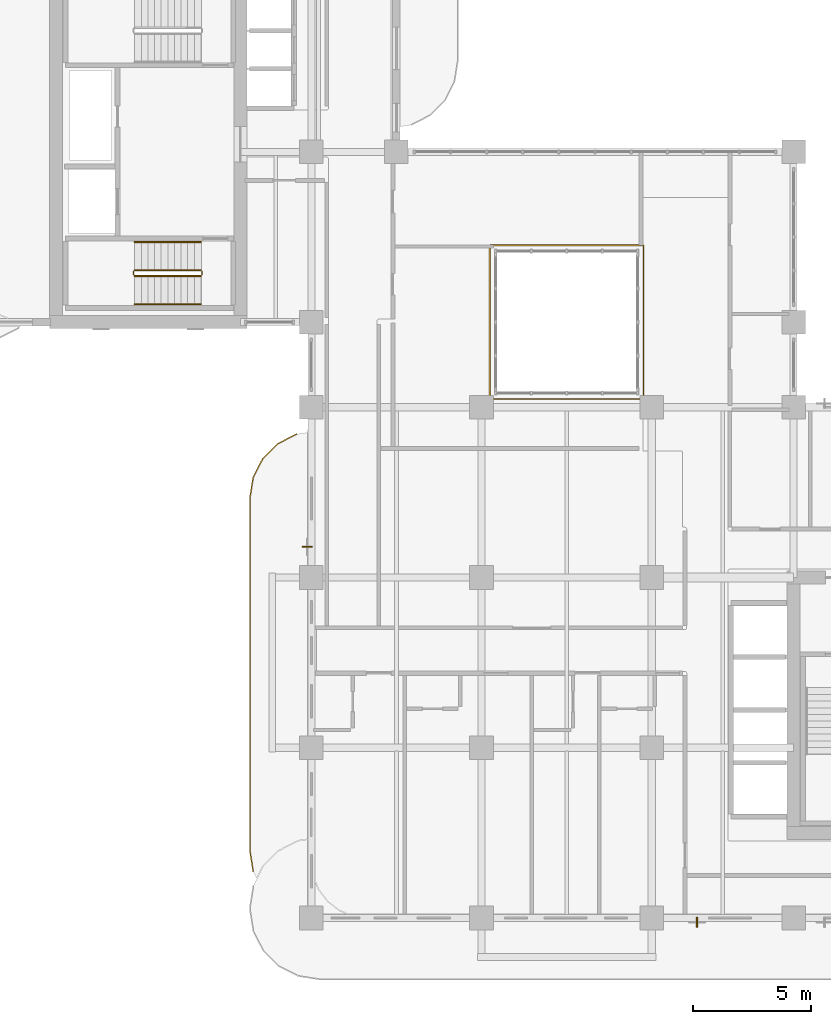
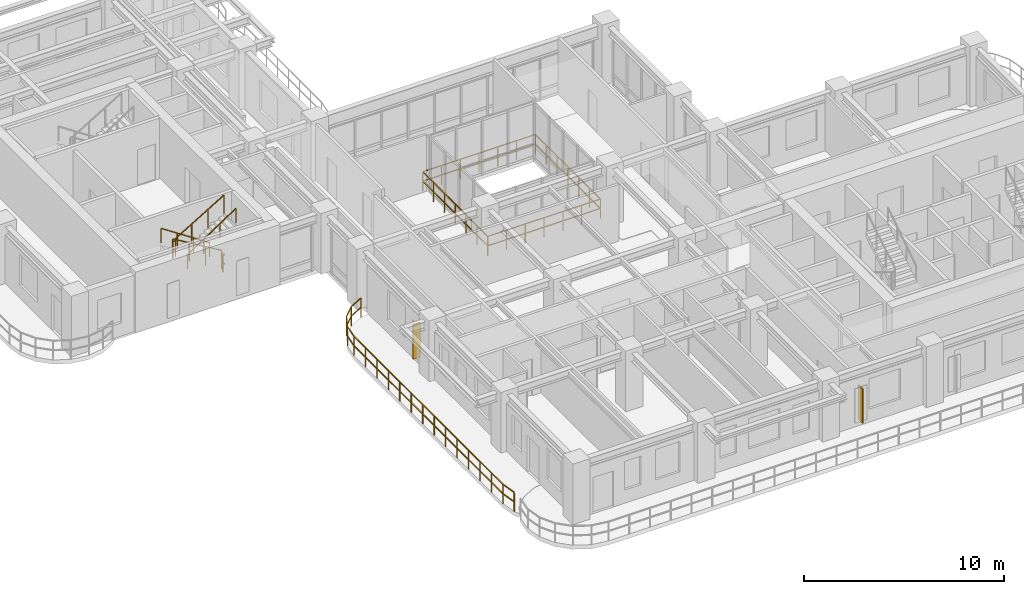
# One storey, part 16 of 20: 8 railings, 2 shading devices.
"""IFC4 building model written with IfcOpenShell, lengths in metres."""

from ifc_helpers import new_model, si_unit, derived_unit, direction, frame, origin, origin_2d, place, context, subcontext, project, spatial, rectangle, extrude, source, transform, mapped, material, layer, layer_set, type_object, type_shapes, element, save


model = new_model("IFC4")

# Units and contexts
model_context = context("Model", 3, precision=1e-05, world=origin(), true_north=direction((0.0, 1.0)))
body_context = subcontext(model_context, "Body", "Model", "MODEL_VIEW")
ifc_project = project(units=[si_unit("LENGTHUNIT", "METRE"), si_unit("AREAUNIT", "SQUARE_METRE"), si_unit("VOLUMEUNIT", "CUBIC_METRE"), si_unit("PLANEANGLEUNIT", "RADIAN"), si_unit("MASSUNIT", "GRAM", prefix="KILO"), si_unit("THERMODYNAMICTEMPERATUREUNIT", "KELVIN"), si_unit("POWERUNIT", "WATT"), derived_unit("THERMALTRANSMITTANCEUNIT", [(si_unit("POWERUNIT", "WATT"), 1), (si_unit("AREAUNIT", "SQUARE_METRE"), -1), (si_unit("THERMODYNAMICTEMPERATUREUNIT", "KELVIN"), -1)])], contexts=[model_context])

# Site, building, storey
site_placement = place(None, origin())
site = spatial("IfcSite", under=ifc_project, at=site_placement, CompositionType="ELEMENT")
building_placement = place(site_placement, origin())
building = spatial("IfcBuilding", under=site, at=building_placement, Name="Zahravan Archway Hotel and Residences", CompositionType="ELEMENT")
storey_placement = place(building_placement, frame((0.0, 0.0, 122.89990234375)))
storey = spatial("IfcBuildingStorey", under=building, at=storey_placement, Name="L30", CompositionType="ELEMENT", Elevation=122.89990234375)

# Railings
ifc_material_1 = material(Name="Atrium Laminated Glass Guardrail", Category="glass")
railing_type_1 = type_object("IfcRailingType", Name="RL-ATR-1200", PredefinedType="BALUSTRADE", material=ifc_material_1)
railing_1_placement = place(storey_placement, frame((21.949951171875, 21.949951171875, 0.0)))
element("IfcRailing", 1, at=railing_1_placement, inside=storey, type_object=railing_type_1, Name="L30 Balustrade RL-ATR-L30", PredefinedType="BALUSTRADE", context=body_context, shape_type="SweptSolid", body=[
    extrude(rectangle(XDim=0.048095703125, YDim=0.048095703125, at=origin_2d()), frame((0.0, 0.0, 1.17578125), z_axis=(1.0, 0.0, 0.0), x_axis=(0.0, 1.0, 0.0)), (0.0, 0.0, 1.0), 6.5),
    extrude(rectangle(XDim=0.048095703125, YDim=0.048095703125, at=origin_2d()), frame((0.0, 0.0, 0.60009765625), z_axis=(1.0, 0.0, 0.0), x_axis=(0.0, 1.0, 0.0)), (0.0, 0.0, 1.0), 6.5),
    extrude(rectangle(XDim=0.048095703125, YDim=0.048095703125, at=origin_2d()), frame((6.5, 0.0, 1.17578125), z_axis=(0.0, 1.0, 0.0), x_axis=(-1.0, 0.0, 0.0)), (0.0, 0.0, 1.0), 6.5),
    extrude(rectangle(XDim=0.048095703125, YDim=0.048095703125, at=origin_2d()), frame((6.5, 0.0, 0.60009765625), z_axis=(0.0, 1.0, 0.0), x_axis=(-1.0, 0.0, 0.0)), (0.0, 0.0, 1.0), 6.5),
    extrude(rectangle(XDim=0.048095703125, YDim=0.048095703125, at=origin_2d()), frame((6.5, 6.5, 1.17578125), z_axis=(-1.0, 0.0, 0.0), x_axis=(0.0, -1.0, 0.0)), (0.0, 0.0, 1.0), 6.5),
    extrude(rectangle(XDim=0.048095703125, YDim=0.048095703125, at=origin_2d()), frame((6.5, 6.5, 0.60009765625), z_axis=(-1.0, 0.0, 0.0), x_axis=(0.0, -1.0, 0.0)), (0.0, 0.0, 1.0), 6.5),
    extrude(rectangle(XDim=0.048095703125, YDim=0.048095703125, at=origin_2d()), frame((0.0, 6.5, 1.17578125), z_axis=(0.0, -1.0, 0.0), x_axis=(1.0, 0.0, 0.0)), (0.0, 0.0, 1.0), 6.5),
    extrude(rectangle(XDim=0.048095703125, YDim=0.048095703125, at=origin_2d()), frame((0.0, 6.5, 0.60009765625), z_axis=(0.0, -1.0, 0.0), x_axis=(1.0, 0.0, 0.0)), (0.0, 0.0, 1.0), 6.5),
    extrude(rectangle(XDim=0.0419921875, YDim=0.0419921875, at=origin_2d()), origin(), (0.0, 0.0, 1.0), 1.15185546875),
    extrude(rectangle(XDim=0.0419921875, YDim=0.0419921875, at=origin_2d()), frame((1.083251953125, 0.0, 0.0)), (0.0, 0.0, 1.0), 1.15185546875),
    extrude(rectangle(XDim=0.0419921875, YDim=0.0419921875, at=origin_2d()), frame((2.166748046875, 0.0, 0.0)), (0.0, 0.0, 1.0), 1.15185546875),
    extrude(rectangle(XDim=0.0419921875, YDim=0.0419921875, at=origin_2d()), frame((3.25, 0.0, 0.0)), (0.0, 0.0, 1.0), 1.15185546875),
    extrude(rectangle(XDim=0.0419921875, YDim=0.0419921875, at=origin_2d()), frame((4.333251953125, 0.0, 0.0)), (0.0, 0.0, 1.0), 1.15185546875),
    extrude(rectangle(XDim=0.0419921875, YDim=0.0419921875, at=origin_2d()), frame((5.416748046875, 0.0, 0.0)), (0.0, 0.0, 1.0), 1.15185546875),
    extrude(rectangle(XDim=0.0419921875, YDim=0.0419921875, at=origin_2d()), frame((6.5, 0.0, 0.0)), (0.0, 0.0, 1.0), 1.15185546875),
    extrude(rectangle(XDim=0.0419921875, YDim=0.0419921875, at=origin_2d()), frame((6.5, 1.083251953125, 0.0)), (0.0, 0.0, 1.0), 1.15185546875),
    extrude(rectangle(XDim=0.0419921875, YDim=0.0419921875, at=origin_2d()), frame((6.5, 2.166748046875, 0.0)), (0.0, 0.0, 1.0), 1.15185546875),
    extrude(rectangle(XDim=0.0419921875, YDim=0.0419921875, at=origin_2d()), frame((6.5, 3.25, 0.0)), (0.0, 0.0, 1.0), 1.15185546875),
    extrude(rectangle(XDim=0.0419921875, YDim=0.0419921875, at=origin_2d()), frame((6.5, 4.333251953125, 0.0)), (0.0, 0.0, 1.0), 1.15185546875),
    extrude(rectangle(XDim=0.0419921875, YDim=0.0419921875, at=origin_2d()), frame((6.5, 5.416748046875, 0.0)), (0.0, 0.0, 1.0), 1.15185546875),
    extrude(rectangle(XDim=0.0419921875, YDim=0.0419921875, at=origin_2d()), frame((6.5, 6.5, 0.0)), (0.0, 0.0, 1.0), 1.15185546875),
    extrude(rectangle(XDim=0.0419921875, YDim=0.0419921875, at=origin_2d()), frame((5.416748046875, 6.5, 0.0)), (0.0, 0.0, 1.0), 1.15185546875),
    extrude(rectangle(XDim=0.0419921875, YDim=0.0419921875, at=origin_2d()), frame((4.333251953125, 6.5, 0.0)), (0.0, 0.0, 1.0), 1.15185546875),
    extrude(rectangle(XDim=0.0419921875, YDim=0.0419921875, at=origin_2d()), frame((3.25, 6.5, 0.0)), (0.0, 0.0, 1.0), 1.15185546875),
    extrude(rectangle(XDim=0.0419921875, YDim=0.0419921875, at=origin_2d()), frame((2.166748046875, 6.5, 0.0)), (0.0, 0.0, 1.0), 1.15185546875),
    extrude(rectangle(XDim=0.0419921875, YDim=0.0419921875, at=origin_2d()), frame((1.083251953125, 6.5, 0.0)), (0.0, 0.0, 1.0), 1.15185546875),
    extrude(rectangle(XDim=0.0419921875, YDim=0.0419921875, at=origin_2d()), frame((0.0, 6.5, 0.0)), (0.0, 0.0, 1.0), 1.15185546875),
    extrude(rectangle(XDim=0.0419921875, YDim=0.0419921875, at=origin_2d()), frame((0.0, 5.416748046875, 0.0)), (0.0, 0.0, 1.0), 1.15185546875),
    extrude(rectangle(XDim=0.0419921875, YDim=0.0419921875, at=origin_2d()), frame((0.0, 4.333251953125, 0.0)), (0.0, 0.0, 1.0), 1.15185546875),
    extrude(rectangle(XDim=0.0419921875, YDim=0.0419921875, at=origin_2d()), frame((0.0, 3.25, 0.0)), (0.0, 0.0, 1.0), 1.15185546875),
    extrude(rectangle(XDim=0.0419921875, YDim=0.0419921875, at=origin_2d()), frame((0.0, 2.166748046875, 0.0)), (0.0, 0.0, 1.0), 1.15185546875),
    extrude(rectangle(XDim=0.0419921875, YDim=0.0419921875, at=origin_2d()), frame((0.0, 1.083251953125, 0.0)), (0.0, 0.0, 1.0), 1.15185546875),
])
ifc_material_2 = material(Name="Bronze & Laminated Glass Balustrade", Category="glass")
railing_type_2 = type_object("IfcRailingType", Name="RL-BAL-1200", PredefinedType="BALUSTRADE", material=ifc_material_2)
railing_2_placement = place(storey_placement, frame((11.939453125, 1.96923828125, 0.0)))
element("IfcRailing", 2, at=railing_2_placement, inside=storey, type_object=railing_type_2, Name="L30 Balustrade RL-SLB-BAL-L30-WA-1", PredefinedType="BALUSTRADE", context=body_context, shape_type="SweptSolid", body=[
    extrude(rectangle(XDim=0.048095703125, YDim=0.048095703125, at=origin_2d()), frame((0.0, 0.0, 1.17578125), z_axis=(-0.156314005608, 0.987707411965, 0.0), x_axis=(-0.987707411965, -0.156314005608, 0.0)), (0.0, 0.0, 1.0), 0.891845703125),
    extrude(rectangle(XDim=0.048095703125, YDim=0.048095703125, at=origin_2d()), frame((0.0, 0.0, 0.60009765625), z_axis=(-0.156314005608, 0.987707411965, 0.0), x_axis=(-0.987707411965, -0.156314005608, 0.0)), (0.0, 0.0, 1.0), 0.891845703125),
    extrude(rectangle(XDim=0.048095703125, YDim=0.048095703125, at=origin_2d()), frame((-0.139404296875, 0.880859375, 1.17578125), z_axis=(0.0, 1.0, 0.0), x_axis=(-1.0, 0.0, 0.0)), (0.0, 0.0, 1.0), 14.89990234375),
    extrude(rectangle(XDim=0.048095703125, YDim=0.048095703125, at=origin_2d()), frame((-0.139404296875, 0.880859375, 0.60009765625), z_axis=(0.0, 1.0, 0.0), x_axis=(-1.0, 0.0, 0.0)), (0.0, 0.0, 1.0), 14.89990234375),
    extrude(rectangle(XDim=0.048095703125, YDim=0.048095703125, at=origin_2d()), frame((-0.139404296875, 15.78076171875, 1.17578125), z_axis=(0.156356282588, 0.987700720307, 0.0), x_axis=(-0.987700720307, 0.156356282588, 0.0)), (0.0, 0.0, 1.0), 0.8916015625),
    extrude(rectangle(XDim=0.048095703125, YDim=0.048095703125, at=origin_2d()), frame((-0.139404296875, 15.78076171875, 0.60009765625), z_axis=(0.156356282588, 0.987700720307, 0.0), x_axis=(-0.987700720307, 0.156356282588, 0.0)), (0.0, 0.0, 1.0), 0.8916015625),
    extrude(rectangle(XDim=0.048095703125, YDim=0.048095703125, at=origin_2d()), frame((0.0, 16.661376953125, 1.17578125), z_axis=(0.45388067135, 0.891062476022, 0.0), x_axis=(-0.891062476022, 0.45388067135, 0.0)), (0.0, 0.0, 1.0), 0.891845703125),
    extrude(rectangle(XDim=0.048095703125, YDim=0.048095703125, at=origin_2d()), frame((0.0, 16.661376953125, 0.60009765625), z_axis=(0.45388067135, 0.891062476022, 0.0), x_axis=(-0.891062476022, 0.45388067135, 0.0)), (0.0, 0.0, 1.0), 0.891845703125),
    extrude(rectangle(XDim=0.048095703125, YDim=0.048095703125, at=origin_2d()), frame((0.40478515625, 17.4560546875, 1.17578125), z_axis=(0.70724367147, 0.706969864397, 0.0), x_axis=(-0.706969864397, 0.70724367147, 0.0)), (0.0, 0.0, 1.0), 0.8916015625),
    extrude(rectangle(XDim=0.048095703125, YDim=0.048095703125, at=origin_2d()), frame((0.40478515625, 17.4560546875, 0.60009765625), z_axis=(0.70724367147, 0.706969864397, 0.0), x_axis=(-0.706969864397, 0.70724367147, 0.0)), (0.0, 0.0, 1.0), 0.8916015625),
    extrude(rectangle(XDim=0.048095703125, YDim=0.048095703125, at=origin_2d()), frame((1.035400390625, 18.08642578125, 1.17578125), z_axis=(0.891006060389, 0.453991409995, 0.0), x_axis=(-0.453991409995, 0.891006060389, 0.0)), (0.0, 0.0, 1.0), 0.8916015625),
    extrude(rectangle(XDim=0.048095703125, YDim=0.048095703125, at=origin_2d()), frame((1.035400390625, 18.08642578125, 0.60009765625), z_axis=(0.891006060389, 0.453991409995, 0.0), x_axis=(-0.453991409995, 0.891006060389, 0.0)), (0.0, 0.0, 1.0), 0.8916015625),
    extrude(rectangle(XDim=0.0419921875, YDim=0.0419921875, at=origin_2d()), origin(), (0.0, 0.0, 1.0), 1.15185546875),
    extrude(rectangle(XDim=0.0419921875, YDim=0.0419921875, at=origin_2d()), frame((-0.139404296875, 0.880859375, 0.0)), (0.0, 0.0, 1.0), 1.15185546875),
    extrude(rectangle(XDim=0.0419921875, YDim=0.0419921875, at=origin_2d()), frame((-0.139404296875, 2.027099609375, 0.0)), (0.0, 0.0, 1.0), 1.15185546875),
    extrude(rectangle(XDim=0.0419921875, YDim=0.0419921875, at=origin_2d()), frame((-0.139404296875, 3.173095703125, 0.0)), (0.0, 0.0, 1.0), 1.15185546875),
    extrude(rectangle(XDim=0.0419921875, YDim=0.0419921875, at=origin_2d()), frame((-0.139404296875, 4.3193359375, 0.0)), (0.0, 0.0, 1.0), 1.15185546875),
    extrude(rectangle(XDim=0.0419921875, YDim=0.0419921875, at=origin_2d()), frame((-0.139404296875, 5.46533203125, 0.0)), (0.0, 0.0, 1.0), 1.15185546875),
    extrude(rectangle(XDim=0.0419921875, YDim=0.0419921875, at=origin_2d()), frame((-0.139404296875, 6.611572265625, 0.0)), (0.0, 0.0, 1.0), 1.15185546875),
    extrude(rectangle(XDim=0.0419921875, YDim=0.0419921875, at=origin_2d()), frame((-0.139404296875, 7.7578125, 0.0)), (0.0, 0.0, 1.0), 1.15185546875),
    extrude(rectangle(XDim=0.0419921875, YDim=0.0419921875, at=origin_2d()), frame((-0.139404296875, 8.90380859375, 0.0)), (0.0, 0.0, 1.0), 1.15185546875),
    extrude(rectangle(XDim=0.0419921875, YDim=0.0419921875, at=origin_2d()), frame((-0.139404296875, 10.050048828125, 0.0)), (0.0, 0.0, 1.0), 1.15185546875),
    extrude(rectangle(XDim=0.0419921875, YDim=0.0419921875, at=origin_2d()), frame((-0.139404296875, 11.1962890625, 0.0)), (0.0, 0.0, 1.0), 1.15185546875),
    extrude(rectangle(XDim=0.0419921875, YDim=0.0419921875, at=origin_2d()), frame((-0.139404296875, 12.34228515625, 0.0)), (0.0, 0.0, 1.0), 1.15185546875),
    extrude(rectangle(XDim=0.0419921875, YDim=0.0419921875, at=origin_2d()), frame((-0.139404296875, 13.488525390625, 0.0)), (0.0, 0.0, 1.0), 1.15185546875),
    extrude(rectangle(XDim=0.0419921875, YDim=0.0419921875, at=origin_2d()), frame((-0.139404296875, 14.634521484375, 0.0)), (0.0, 0.0, 1.0), 1.15185546875),
    extrude(rectangle(XDim=0.0419921875, YDim=0.0419921875, at=origin_2d()), frame((-0.139404296875, 15.78076171875, 0.0)), (0.0, 0.0, 1.0), 1.15185546875),
    extrude(rectangle(XDim=0.0419921875, YDim=0.0419921875, at=origin_2d()), frame((0.0, 16.661376953125, 0.0)), (0.0, 0.0, 1.0), 1.15185546875),
    extrude(rectangle(XDim=0.0419921875, YDim=0.0419921875, at=origin_2d()), frame((0.40478515625, 17.4560546875, 0.0)), (0.0, 0.0, 1.0), 1.15185546875),
    extrude(rectangle(XDim=0.0419921875, YDim=0.0419921875, at=origin_2d()), frame((1.035400390625, 18.08642578125, 0.0)), (0.0, 0.0, 1.0), 1.15185546875),
    extrude(rectangle(XDim=0.0419921875, YDim=0.0419921875, at=origin_2d()), frame((1.829833984375, 18.4912109375, 0.0)), (0.0, 0.0, 1.0), 1.15185546875),
])
ifc_material_3 = material(Name="Painted Tubular Steel", Category="steel")
railing_type_3 = type_object("IfcRailingType", Name="RL-STG-1150", PredefinedType="GUARDRAIL", material=ifc_material_3)
railing_3_placement = place(storey_placement, frame((9.72998046875, 27.389892578125, 0.168212890625)))
element("IfcRailing", 3, at=railing_3_placement, inside=storey, type_object=railing_type_3, Name="L30 ST-B1 stair guard 1", PredefinedType="GUARDRAIL", context=body_context, shape_type="SweptSolid", body=[
    extrude(rectangle(XDim=0.048095703125, YDim=0.048095703125, at=origin_2d()), frame((0.0, 0.0, 1.1259765625), z_axis=(-0.857242210791, 0.0, 0.514913383045), x_axis=(0.0, -1.0, 0.0)), (0.0, 0.0, 1.0), 3.266357421875),
    extrude(rectangle(XDim=0.0419921875, YDim=0.0419921875, at=origin_2d()), origin(), (0.0, 0.0, 1.0), 1.101806640625),
    extrude(rectangle(XDim=0.0419921875, YDim=0.0419921875, at=origin_2d()), frame((-0.933349609375, 0.0, 0.560546875)), (0.0, 0.0, 1.0), 1.101806640625),
    extrude(rectangle(XDim=0.0419921875, YDim=0.0419921875, at=origin_2d()), frame((-1.86669921875, 0.0, 1.121337890625)), (0.0, 0.0, 1.0), 1.101806640625),
    extrude(rectangle(XDim=0.0419921875, YDim=0.0419921875, at=origin_2d()), frame((-2.800048828125, 0.0, 1.681884765625)), (0.0, 0.0, 1.0), 1.101806640625),
])
railing_4_placement = place(storey_placement, frame((6.8798828125, 27.340087890625, 1.85009765625)))
element("IfcRailing", 4, at=railing_4_placement, inside=storey, type_object=railing_type_3, Name="L30 ST-B1 stair guard 2", PredefinedType="GUARDRAIL", context=body_context, shape_type="SweptSolid", body=[
    extrude(rectangle(XDim=0.048095703125, YDim=0.048095703125, at=origin_2d()), frame((0.0, 0.0, 1.1259765625), z_axis=(0.0, -1.0, 0.0), x_axis=(1.0, 0.0, 0.0)), (0.0, 0.0, 1.0), 0.14013671875),
    extrude(rectangle(XDim=0.048095703125, YDim=0.048095703125, at=origin_2d()), frame((0.0, 0.0, 0.574951171875), z_axis=(0.0, -1.0, 0.0), x_axis=(1.0, 0.0, 0.0)), (0.0, 0.0, 1.0), 0.14013671875),
    extrude(rectangle(XDim=0.0419921875, YDim=0.0419921875, at=origin_2d()), origin(), (0.0, 0.0, 1.0), 1.101806640625),
])
railing_5_placement = place(storey_placement, frame((6.929931640625, 27.14990234375, 2.018310546875)))
element("IfcRailing", 5, at=railing_5_placement, inside=storey, type_object=railing_type_3, Name="L30 ST-B1 stair guard 3", PredefinedType="GUARDRAIL", context=body_context, shape_type="SweptSolid", body=[
    extrude(rectangle(XDim=0.048095703125, YDim=0.048095703125, at=origin_2d()), frame((0.0, 0.0, 1.1259765625), z_axis=(0.857242210791, 0.0, 0.514913383045), x_axis=(0.0, 1.0, 0.0)), (0.0, 0.0, 1.0), 3.266357421875),
    extrude(rectangle(XDim=0.0419921875, YDim=0.0419921875, at=origin_2d()), origin(), (0.0, 0.0, 1.0), 1.101806640625),
    extrude(rectangle(XDim=0.0419921875, YDim=0.0419921875, at=origin_2d()), frame((0.933349609375, 0.0, 0.560546875)), (0.0, 0.0, 1.0), 1.101806640625),
    extrude(rectangle(XDim=0.0419921875, YDim=0.0419921875, at=origin_2d()), frame((1.86669921875, 0.0, 1.121337890625)), (0.0, 0.0, 1.0), 1.101806640625),
    extrude(rectangle(XDim=0.0419921875, YDim=0.0419921875, at=origin_2d()), frame((2.800048828125, 0.0, 1.681884765625)), (0.0, 0.0, 1.0), 1.101806640625),
])
railing_6_placement = place(storey_placement, frame((9.780029296875, 27.340087890625, 0.0)))
element("IfcRailing", 6, at=railing_6_placement, inside=storey, type_object=railing_type_3, Name="L30 ST-B1 stair guard 4", PredefinedType="GUARDRAIL", context=body_context, shape_type="SweptSolid", body=[
    extrude(rectangle(XDim=0.048095703125, YDim=0.048095703125, at=origin_2d()), frame((0.0, 0.0, 1.1259765625), z_axis=(0.0, -1.0, 0.0), x_axis=(1.0, 0.0, 0.0)), (0.0, 0.0, 1.0), 0.14013671875),
    extrude(rectangle(XDim=0.048095703125, YDim=0.048095703125, at=origin_2d()), frame((0.0, 0.0, 0.574951171875), z_axis=(0.0, -1.0, 0.0), x_axis=(1.0, 0.0, 0.0)), (0.0, 0.0, 1.0), 0.14013671875),
    extrude(rectangle(XDim=0.0419921875, YDim=0.0419921875, at=origin_2d()), origin(), (0.0, 0.0, 1.0), 1.101806640625),
])
ifc_material_4 = material(Name="Brushed Stainless Steel", Category="steel")
railing_type_4 = type_object("IfcRailingType", Name="RL-STH-900", PredefinedType="HANDRAIL", material=ifc_material_4)
railing_7_placement = place(storey_placement, frame((9.72998046875, 28.590087890625, 0.168212890625)))
element("IfcRailing", 7, at=railing_7_placement, inside=storey, type_object=railing_type_4, Name="L30 ST-B1 stair handrail 1", PredefinedType="HANDRAIL", context=body_context, shape_type="SweptSolid", body=[
    extrude(rectangle(XDim=0.048095703125, YDim=0.048095703125, at=origin_2d()), frame((0.0, 0.0, 0.8759765625), z_axis=(-0.834326358476, 0.0, 0.551270829586), x_axis=(0.0, -1.0, 0.0)), (0.0, 0.0, 1.0), 3.35595703125),
    extrude(rectangle(XDim=0.0419921875, YDim=0.0419921875, at=origin_2d()), origin(), (0.0, 0.0, 1.0), 0.851806640625),
    extrude(rectangle(XDim=0.0419921875, YDim=0.0419921875, at=origin_2d()), frame((-0.933349609375, 0.0, 0.61669921875)), (0.0, 0.0, 1.0), 0.851806640625),
    extrude(rectangle(XDim=0.0419921875, YDim=0.0419921875, at=origin_2d()), frame((-1.86669921875, 0.0, 1.2333984375)), (0.0, 0.0, 1.0), 0.851806640625),
    extrude(rectangle(XDim=0.0419921875, YDim=0.0419921875, at=origin_2d()), frame((-2.800048828125, 0.0, 1.85009765625)), (0.0, 0.0, 1.0), 0.851806640625),
])
railing_8_placement = place(storey_placement, frame((6.929931640625, 25.949951171875, 2.018310546875)))
element("IfcRailing", 8, at=railing_8_placement, inside=storey, type_object=railing_type_4, Name="L30 ST-B1 stair handrail 2", PredefinedType="HANDRAIL", context=body_context, shape_type="SweptSolid", body=[
    extrude(rectangle(XDim=0.048095703125, YDim=0.048095703125, at=origin_2d()), frame((0.0, 0.0, 0.8759765625), z_axis=(0.83435981716, 0.0, 0.551220187865), x_axis=(0.0, 1.0, 0.0)), (0.0, 0.0, 1.0), 3.35595703125),
    extrude(rectangle(XDim=0.0419921875, YDim=0.0419921875, at=origin_2d()), origin(), (0.0, 0.0, 1.0), 0.851806640625),
    extrude(rectangle(XDim=0.0419921875, YDim=0.0419921875, at=origin_2d()), frame((0.933349609375, 0.0, 0.61669921875)), (0.0, 0.0, 1.0), 0.851806640625),
    extrude(rectangle(XDim=0.0419921875, YDim=0.0419921875, at=origin_2d()), frame((1.86669921875, 0.0, 1.233154296875)), (0.0, 0.0, 1.0), 0.851806640625),
    extrude(rectangle(XDim=0.0419921875, YDim=0.0419921875, at=origin_2d()), frame((2.800048828125, 0.0, 1.849853515625)), (0.0, 0.0, 1.0), 0.851806640625),
])

# Shading devices
ifc_material_5 = material(Name="Terracotta & Bronze Solar Brise-Soleil", Category="masonry")
ifc_layer = layer(ifc_material_5, 0.06005859375, Name="Terracotta & Bronze Solar Brise-Soleil", Category="masonry")
ifc_layer_set = layer_set([ifc_layer], Name="Terracotta & Bronze Solar Brise-Soleil")
shading_device_type = type_object("IfcShadingDeviceType", Name="SHD-MASH-FIN", PredefinedType="JALOUSIE", material=ifc_layer_set)
shared_shape = source(origin(), body_context, "Body", "SweptSolid", [
    extrude(rectangle(XDim=0.06005859375, YDim=0.419921875, at=origin_2d()), origin(), (0.0, 0.0, 1.0), 2.10009765625),
])
type_shapes(shading_device_type, [shared_shape])
for number, where, z_axis, x_axis, name in (
    (9, (30.7080078125, -0.177978515625, 0.25), (0.0, 0.0, 1.0), (1.0, 0.0, 0.0), "L30 Solar Mashrabiya Fin 01"),
    (10, (14.221923828125, 15.699951171875, 0.25), (0.0, 0.0, 1.0), (0.0, 1.0, 0.0), "L30 Solar Mashrabiya Fin 06"),
):
    element("IfcShadingDevice", number, at=place(storey_placement, frame(where, z_axis=z_axis, x_axis=x_axis)), inside=storey, type_object=shading_device_type, Name=name, PredefinedType="JALOUSIE", context=body_context, shape_type="MappedRepresentation", body=[
        mapped(shared_shape, transform((0.0, 0.0, 0.0), scale=1.0)),
    ])

save(model, "model.ifc")
